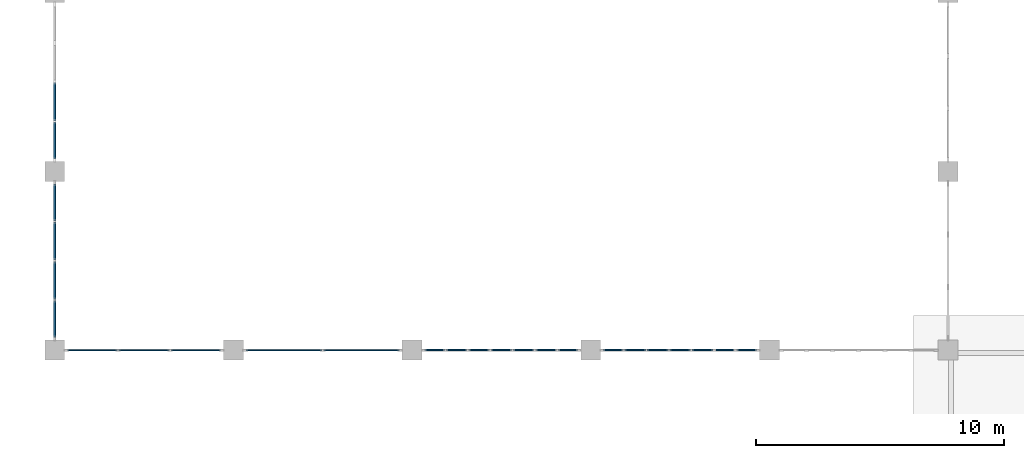
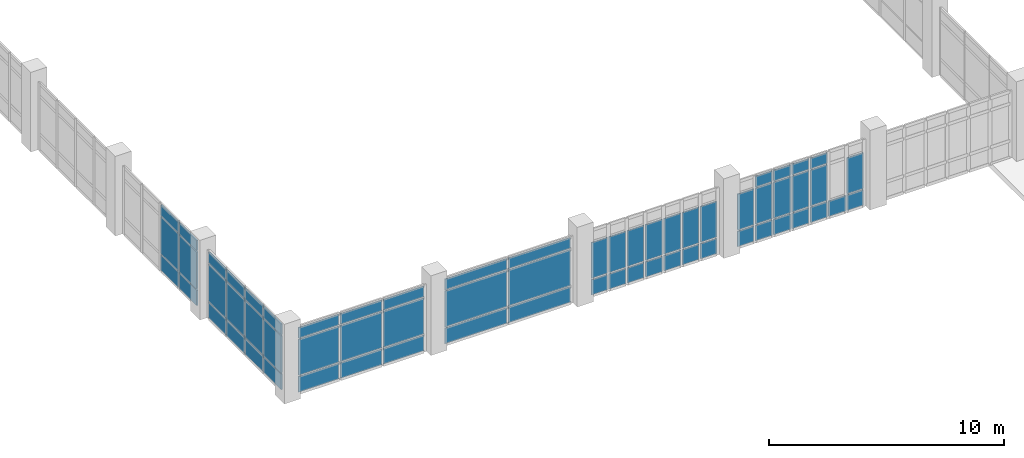
# One storey, part 31 of 62: 64 plates, 6 elements without a shape of their own.
"""IFC4 building model written with IfcOpenShell, lengths in metres."""

from ifc_helpers import new_model, si_unit, direction, frame, origin, origin_2d, place, context, subcontext, project, spatial, rectangle, extrude, material, layer, layer_set, type_object, element, aggregate, save


model = new_model("IFC4")

# Units and contexts
model_context = context("Model", 3, precision=1e-05, world=origin(), true_north=direction((0.0, 1.0)))
body_context = subcontext(model_context, "Body", "Model", "MODEL_VIEW")
ifc_project = project(units=[si_unit("LENGTHUNIT", "METRE"), si_unit("AREAUNIT", "SQUARE_METRE"), si_unit("VOLUMEUNIT", "CUBIC_METRE"), si_unit("PLANEANGLEUNIT", "RADIAN"), si_unit("MASSUNIT", "GRAM", prefix="KILO")], contexts=[model_context])

# Site, building, storey
site_placement = place(None, origin())
site = spatial("IfcSite", under=ifc_project, at=site_placement, CompositionType="ELEMENT")
building_placement = place(site_placement, origin())
building = spatial("IfcBuilding", under=site, at=building_placement, Name="Kavelor Marine Aquarium", CompositionType="ELEMENT")
storey_placement = place(building_placement, frame((0.0, 0.0, 13.5)))
storey = spatial("IfcBuildingStorey", under=building, at=storey_placement, Name="L03", CompositionType="ELEMENT", Elevation=13.5)

# Curtain wall, plates
ifc_material_1 = material(Name="Thermally Broken Aluminium and Low-E Glass", Category="aluminium")
ifc_layer_1 = layer(ifc_material_1, 0.31591796875)
ifc_layer_set_1 = layer_set([ifc_layer_1], Name="CW-SYS22")
curtain_wall_type_1 = type_object("IfcCurtainWallType", Name="CW-SYS22", PredefinedType="USERDEFINED", material=ifc_layer_set_1)
curtain_wall_1_placement = place(storey_placement, origin())
curtain_wall_1 = element("IfcCurtainWall", 1, at=curtain_wall_1_placement, inside=storey, type_object=curtain_wall_type_1, Name="cw:x:L03:00_03", ObjectType="Curtain Wall", PredefinedType="USERDEFINED")
ifc_material_2 = material(Name="Solar-Control Double Low-E Glazing", Category="glass")
ifc_layer_2 = layer(ifc_material_2, 0.0439453125)
ifc_layer_set_2 = layer_set([ifc_layer_2], Name="CWP-10")
plate_type_1 = type_object("IfcPlateType", Name="CWP-10", PredefinedType="CURTAIN_PANEL", material=ifc_layer_set_2)
plate_1_placement = place(storey_placement, frame((8.884521484375, 24.39990234375, 0.06005859375), z_axis=(0.0, 0.0, 1.0), x_axis=(-1.0, 0.0, 0.0)))
plate_1 = element("IfcPlate", 2, at=plate_1_placement, type_object=plate_type_1, Name="CW22 panel 1.1", PredefinedType="CURTAIN_PANEL", context=body_context, shape_type="SweptSolid", body=[
    extrude(rectangle(XDim=1.99072265625, YDim=0.0439453125, at=origin_2d()), origin(), (0.0, 0.0, 1.0), 0.81005859375),
])
plate_2_placement = place(storey_placement, frame((8.884521484375, 24.39990234375, 0.929931640625), z_axis=(0.0, 0.0, 1.0), x_axis=(-1.0, 0.0, 0.0)))
plate_2 = element("IfcPlate", 3, at=plate_2_placement, type_object=plate_type_1, Name="CW22 panel 1.2", PredefinedType="CURTAIN_PANEL", context=body_context, shape_type="SweptSolid", body=[
    extrude(rectangle(XDim=1.99072265625, YDim=0.0439453125, at=origin_2d()), origin(), (0.0, 0.0, 1.0), 1.8701171875),
])
plate_3_placement = place(storey_placement, frame((8.884521484375, 24.39990234375, 2.85986328125), z_axis=(0.0, 0.0, 1.0), x_axis=(-1.0, 0.0, 0.0)))
plate_3 = element("IfcPlate", 4, at=plate_3_placement, type_object=plate_type_1, Name="CW22 panel 1.3", PredefinedType="CURTAIN_PANEL", context=body_context, shape_type="SweptSolid", body=[
    extrude(rectangle(XDim=1.99072265625, YDim=0.0439453125, at=origin_2d()), origin(), (0.0, 0.0, 1.0), 0.56005859375),
])
plate_4_placement = place(storey_placement, frame((6.800048828125, 24.39990234375, 0.06005859375), z_axis=(0.0, 0.0, 1.0), x_axis=(-1.0, 0.0, 0.0)))
plate_4 = element("IfcPlate", 5, at=plate_4_placement, type_object=plate_type_1, Name="CW22 panel 2.1", PredefinedType="CURTAIN_PANEL", context=body_context, shape_type="SweptSolid", body=[
    extrude(rectangle(XDim=2.0283203125, YDim=0.0439453125, at=origin_2d()), origin(), (0.0, 0.0, 1.0), 0.81005859375),
])
plate_5_placement = place(storey_placement, frame((6.800048828125, 24.39990234375, 0.929931640625), z_axis=(0.0, 0.0, 1.0), x_axis=(-1.0, 0.0, 0.0)))
plate_5 = element("IfcPlate", 6, at=plate_5_placement, type_object=plate_type_1, Name="CW22 panel 2.2", PredefinedType="CURTAIN_PANEL", context=body_context, shape_type="SweptSolid", body=[
    extrude(rectangle(XDim=2.0283203125, YDim=0.0439453125, at=origin_2d()), origin(), (0.0, 0.0, 1.0), 1.8701171875),
])
plate_6_placement = place(storey_placement, frame((6.800048828125, 24.39990234375, 2.85986328125), z_axis=(0.0, 0.0, 1.0), x_axis=(-1.0, 0.0, 0.0)))
plate_6 = element("IfcPlate", 7, at=plate_6_placement, type_object=plate_type_1, Name="CW22 panel 2.3", PredefinedType="CURTAIN_PANEL", context=body_context, shape_type="SweptSolid", body=[
    extrude(rectangle(XDim=2.0283203125, YDim=0.0439453125, at=origin_2d()), origin(), (0.0, 0.0, 1.0), 0.56005859375),
])
plate_7_placement = place(storey_placement, frame((4.71533203125, 24.39990234375, 0.06005859375), z_axis=(0.0, 0.0, 1.0), x_axis=(-1.0, 0.0, 0.0)))
plate_7 = element("IfcPlate", 8, at=plate_7_placement, type_object=plate_type_1, Name="CW22 panel 3.1", PredefinedType="CURTAIN_PANEL", context=body_context, shape_type="SweptSolid", body=[
    extrude(rectangle(XDim=1.99072265625, YDim=0.0439453125, at=origin_2d()), origin(), (0.0, 0.0, 1.0), 0.81005859375),
])
plate_8_placement = place(storey_placement, frame((4.71533203125, 24.39990234375, 0.929931640625), z_axis=(0.0, 0.0, 1.0), x_axis=(-1.0, 0.0, 0.0)))
plate_8 = element("IfcPlate", 9, at=plate_8_placement, type_object=plate_type_1, Name="CW22 panel 3.2", PredefinedType="CURTAIN_PANEL", context=body_context, shape_type="SweptSolid", body=[
    extrude(rectangle(XDim=1.99072265625, YDim=0.0439453125, at=origin_2d()), origin(), (0.0, 0.0, 1.0), 1.8701171875),
])
plate_9_placement = place(storey_placement, frame((4.71533203125, 24.39990234375, 2.85986328125), z_axis=(0.0, 0.0, 1.0), x_axis=(-1.0, 0.0, 0.0)))
plate_9 = element("IfcPlate", 10, at=plate_9_placement, type_object=plate_type_1, Name="CW22 panel 3.3", PredefinedType="CURTAIN_PANEL", context=body_context, shape_type="SweptSolid", body=[
    extrude(rectangle(XDim=1.99072265625, YDim=0.0439453125, at=origin_2d()), origin(), (0.0, 0.0, 1.0), 0.56005859375),
])
aggregate(curtain_wall_1, [plate_1, plate_2, plate_3, plate_4, plate_5, plate_6, plate_7, plate_8, plate_9])

ifc_material_3 = material(Name="Thermally Broken Aluminium and Low-E Glass", Category="aluminium")
ifc_layer_3 = layer(ifc_material_3, 0.323974609375)
ifc_layer_set_3 = layer_set([ifc_layer_3], Name="CW-SYS23")
curtain_wall_type_2 = type_object("IfcCurtainWallType", Name="CW-SYS23", PredefinedType="USERDEFINED", material=ifc_layer_set_3)
curtain_wall_2_placement = place(storey_placement, origin())
curtain_wall_2 = element("IfcCurtainWall", 11, at=curtain_wall_2_placement, inside=storey, type_object=curtain_wall_type_2, Name="cw:x:L03:01_03", ObjectType="Curtain Wall", PredefinedType="USERDEFINED")
ifc_material_4 = material(Name="Solar-Control Double Low-E Glazing", Category="glass")
ifc_layer_4 = layer(ifc_material_4, 0.0458984375)
ifc_layer_set_4 = layer_set([ifc_layer_4], Name="CWP-11")
plate_type_2 = type_object("IfcPlateType", Name="CWP-11", PredefinedType="CURTAIN_PANEL", material=ifc_layer_set_4)
plate_10_placement = place(storey_placement, frame((15.561279296875, 24.39990234375, 0.06005859375), z_axis=(0.0, 0.0, 1.0), x_axis=(-1.0, 0.0, 0.0)))
plate_10 = element("IfcPlate", 12, at=plate_10_placement, type_object=plate_type_2, Name="CW23 panel 1.1", PredefinedType="CURTAIN_PANEL", context=body_context, shape_type="SweptSolid", body=[
    extrude(rectangle(XDim=3.0576171875, YDim=0.0458984375, at=origin_2d()), origin(), (0.0, 0.0, 1.0), 0.81005859375),
])
plate_11_placement = place(storey_placement, frame((15.561279296875, 24.39990234375, 0.929931640625), z_axis=(0.0, 0.0, 1.0), x_axis=(-1.0, 0.0, 0.0)))
plate_11 = element("IfcPlate", 13, at=plate_11_placement, type_object=plate_type_2, Name="CW23 panel 1.2", PredefinedType="CURTAIN_PANEL", context=body_context, shape_type="SweptSolid", body=[
    extrude(rectangle(XDim=3.0576171875, YDim=0.0458984375, at=origin_2d()), origin(), (0.0, 0.0, 1.0), 1.8701171875),
])
plate_12_placement = place(storey_placement, frame((15.561279296875, 24.39990234375, 2.85986328125), z_axis=(0.0, 0.0, 1.0), x_axis=(-1.0, 0.0, 0.0)))
plate_12 = element("IfcPlate", 14, at=plate_12_placement, type_object=plate_type_2, Name="CW23 panel 1.3", PredefinedType="CURTAIN_PANEL", context=body_context, shape_type="SweptSolid", body=[
    extrude(rectangle(XDim=3.0576171875, YDim=0.0458984375, at=origin_2d()), origin(), (0.0, 0.0, 1.0), 0.56005859375),
])
plate_13_placement = place(storey_placement, frame((12.438720703125, 24.39990234375, 0.06005859375), z_axis=(0.0, 0.0, 1.0), x_axis=(-1.0, 0.0, 0.0)))
plate_13 = element("IfcPlate", 15, at=plate_13_placement, type_object=plate_type_2, Name="CW23 panel 2.1", PredefinedType="CURTAIN_PANEL", context=body_context, shape_type="SweptSolid", body=[
    extrude(rectangle(XDim=3.0576171875, YDim=0.0458984375, at=origin_2d()), origin(), (0.0, 0.0, 1.0), 0.81005859375),
])
plate_14_placement = place(storey_placement, frame((12.438720703125, 24.39990234375, 0.929931640625), z_axis=(0.0, 0.0, 1.0), x_axis=(-1.0, 0.0, 0.0)))
plate_14 = element("IfcPlate", 16, at=plate_14_placement, type_object=plate_type_2, Name="CW23 panel 2.2", PredefinedType="CURTAIN_PANEL", context=body_context, shape_type="SweptSolid", body=[
    extrude(rectangle(XDim=3.0576171875, YDim=0.0458984375, at=origin_2d()), origin(), (0.0, 0.0, 1.0), 1.8701171875),
])
plate_15_placement = place(storey_placement, frame((12.438720703125, 24.39990234375, 2.85986328125), z_axis=(0.0, 0.0, 1.0), x_axis=(-1.0, 0.0, 0.0)))
plate_15 = element("IfcPlate", 17, at=plate_15_placement, type_object=plate_type_2, Name="CW23 panel 2.3", PredefinedType="CURTAIN_PANEL", context=body_context, shape_type="SweptSolid", body=[
    extrude(rectangle(XDim=3.0576171875, YDim=0.0458984375, at=origin_2d()), origin(), (0.0, 0.0, 1.0), 0.56005859375),
])
aggregate(curtain_wall_2, [plate_10, plate_11, plate_12, plate_13, plate_14, plate_15])

ifc_material_5 = material(Name="Thermally Broken Aluminium and Low-E Glass", Category="aluminium")
ifc_layer_5 = layer(ifc_material_5, 0.14794921875)
ifc_layer_set_5 = layer_set([ifc_layer_5], Name="CW-SYS1")
curtain_wall_type_3 = type_object("IfcCurtainWallType", Name="CW-SYS1", PredefinedType="USERDEFINED", material=ifc_layer_set_5)
curtain_wall_3_placement = place(storey_placement, origin())
curtain_wall_3 = element("IfcCurtainWall", 18, at=curtain_wall_3_placement, inside=storey, type_object=curtain_wall_type_3, Name="cw:x:L03:02_03", ObjectType="Curtain Wall", PredefinedType="USERDEFINED")
ifc_material_6 = material(Name="Solar-Control Double Low-E Glazing", Category="glass")
ifc_layer_6 = layer(ifc_material_6, 0.050048828125)
ifc_layer_set_6 = layer_set([ifc_layer_6], Name="CWP-13")
plate_type_3 = type_object("IfcPlateType", Name="CWP-13", PredefinedType="CURTAIN_PANEL", material=ifc_layer_set_6)
plate_16_placement = place(storey_placement, frame((23.885498046875, 24.39990234375, 0.074951171875), z_axis=(0.0, 0.0, 1.0), x_axis=(-1.0, 0.0, 0.0)))
plate_16 = element("IfcPlate", 19, at=plate_16_placement, type_object=plate_type_3, Name="CW01 panel 1.1", PredefinedType="CURTAIN_PANEL", context=body_context, shape_type="SweptSolid", body=[
    extrude(rectangle(XDim=0.788818359375, YDim=0.050048828125, at=origin_2d()), origin(), (0.0, 0.0, 1.0), 0.78759765625),
])
plate_17_placement = place(storey_placement, frame((23.885498046875, 24.39990234375, 0.9375), z_axis=(0.0, 0.0, 1.0), x_axis=(-1.0, 0.0, 0.0)))
plate_17 = element("IfcPlate", 20, at=plate_17_placement, type_object=plate_type_3, Name="CW01 panel 1.2", PredefinedType="CURTAIN_PANEL", context=body_context, shape_type="SweptSolid", body=[
    extrude(rectangle(XDim=0.788818359375, YDim=0.050048828125, at=origin_2d()), origin(), (0.0, 0.0, 1.0), 1.85498046875),
])
plate_18_placement = place(storey_placement, frame((23.0029296875, 24.39990234375, 0.074951171875), z_axis=(0.0, 0.0, 1.0), x_axis=(-1.0, 0.0, 0.0)))
plate_18 = element("IfcPlate", 21, at=plate_18_placement, type_object=plate_type_3, Name="CW01 panel 2.1", PredefinedType="CURTAIN_PANEL", context=body_context, shape_type="SweptSolid", body=[
    extrude(rectangle(XDim=0.826416015625, YDim=0.050048828125, at=origin_2d()), origin(), (0.0, 0.0, 1.0), 0.78759765625),
])
plate_19_placement = place(storey_placement, frame((23.0029296875, 24.39990234375, 0.9375), z_axis=(0.0, 0.0, 1.0), x_axis=(-1.0, 0.0, 0.0)))
plate_19 = element("IfcPlate", 22, at=plate_19_placement, type_object=plate_type_3, Name="CW01 panel 2.2", PredefinedType="CURTAIN_PANEL", context=body_context, shape_type="SweptSolid", body=[
    extrude(rectangle(XDim=0.826416015625, YDim=0.050048828125, at=origin_2d()), origin(), (0.0, 0.0, 1.0), 1.85498046875),
])
plate_20_placement = place(storey_placement, frame((22.101318359375, 24.39990234375, 0.074951171875), z_axis=(0.0, 0.0, 1.0), x_axis=(-1.0, 0.0, 0.0)))
plate_20 = element("IfcPlate", 23, at=plate_20_placement, type_object=plate_type_3, Name="CW01 panel 3.1", PredefinedType="CURTAIN_PANEL", context=body_context, shape_type="SweptSolid", body=[
    extrude(rectangle(XDim=0.826416015625, YDim=0.050048828125, at=origin_2d()), origin(), (0.0, 0.0, 1.0), 0.78759765625),
])
plate_21_placement = place(storey_placement, frame((22.101318359375, 24.39990234375, 0.9375), z_axis=(0.0, 0.0, 1.0), x_axis=(-1.0, 0.0, 0.0)))
plate_21 = element("IfcPlate", 24, at=plate_21_placement, type_object=plate_type_3, Name="CW01 panel 3.2", PredefinedType="CURTAIN_PANEL", context=body_context, shape_type="SweptSolid", body=[
    extrude(rectangle(XDim=0.826416015625, YDim=0.050048828125, at=origin_2d()), origin(), (0.0, 0.0, 1.0), 1.85498046875),
])
plate_22_placement = place(storey_placement, frame((21.199951171875, 24.39990234375, 0.074951171875), z_axis=(0.0, 0.0, 1.0), x_axis=(-1.0, 0.0, 0.0)))
plate_22 = element("IfcPlate", 25, at=plate_22_placement, type_object=plate_type_3, Name="CW01 panel 4.1", PredefinedType="CURTAIN_PANEL", context=body_context, shape_type="SweptSolid", body=[
    extrude(rectangle(XDim=0.826416015625, YDim=0.050048828125, at=origin_2d()), origin(), (0.0, 0.0, 1.0), 0.78759765625),
])
plate_23_placement = place(storey_placement, frame((21.199951171875, 24.39990234375, 0.9375), z_axis=(0.0, 0.0, 1.0), x_axis=(-1.0, 0.0, 0.0)))
plate_23 = element("IfcPlate", 26, at=plate_23_placement, type_object=plate_type_3, Name="CW01 panel 4.2", PredefinedType="CURTAIN_PANEL", context=body_context, shape_type="SweptSolid", body=[
    extrude(rectangle(XDim=0.826416015625, YDim=0.050048828125, at=origin_2d()), origin(), (0.0, 0.0, 1.0), 1.85498046875),
])
plate_24_placement = place(storey_placement, frame((20.298583984375, 24.39990234375, 0.074951171875), z_axis=(0.0, 0.0, 1.0), x_axis=(-1.0, 0.0, 0.0)))
plate_24 = element("IfcPlate", 27, at=plate_24_placement, type_object=plate_type_3, Name="CW01 panel 5.1", PredefinedType="CURTAIN_PANEL", context=body_context, shape_type="SweptSolid", body=[
    extrude(rectangle(XDim=0.826416015625, YDim=0.050048828125, at=origin_2d()), origin(), (0.0, 0.0, 1.0), 0.78759765625),
])
plate_25_placement = place(storey_placement, frame((20.298583984375, 24.39990234375, 0.9375), z_axis=(0.0, 0.0, 1.0), x_axis=(-1.0, 0.0, 0.0)))
plate_25 = element("IfcPlate", 28, at=plate_25_placement, type_object=plate_type_3, Name="CW01 panel 5.2", PredefinedType="CURTAIN_PANEL", context=body_context, shape_type="SweptSolid", body=[
    extrude(rectangle(XDim=0.826416015625, YDim=0.050048828125, at=origin_2d()), origin(), (0.0, 0.0, 1.0), 1.85498046875),
])
plate_26_placement = place(storey_placement, frame((19.397216796875, 24.39990234375, 0.074951171875), z_axis=(0.0, 0.0, 1.0), x_axis=(-1.0, 0.0, 0.0)))
plate_26 = element("IfcPlate", 29, at=plate_26_placement, type_object=plate_type_3, Name="CW01 panel 6.1", PredefinedType="CURTAIN_PANEL", context=body_context, shape_type="SweptSolid", body=[
    extrude(rectangle(XDim=0.826416015625, YDim=0.050048828125, at=origin_2d()), origin(), (0.0, 0.0, 1.0), 0.78759765625),
])
plate_27_placement = place(storey_placement, frame((19.397216796875, 24.39990234375, 0.9375), z_axis=(0.0, 0.0, 1.0), x_axis=(-1.0, 0.0, 0.0)))
plate_27 = element("IfcPlate", 30, at=plate_27_placement, type_object=plate_type_3, Name="CW01 panel 6.2", PredefinedType="CURTAIN_PANEL", context=body_context, shape_type="SweptSolid", body=[
    extrude(rectangle(XDim=0.826416015625, YDim=0.050048828125, at=origin_2d()), origin(), (0.0, 0.0, 1.0), 1.85498046875),
])
plate_28_placement = place(storey_placement, frame((18.514404296875, 24.39990234375, 0.074951171875), z_axis=(0.0, 0.0, 1.0), x_axis=(-1.0, 0.0, 0.0)))
plate_28 = element("IfcPlate", 31, at=plate_28_placement, type_object=plate_type_3, Name="CW01 panel 7.1", PredefinedType="CURTAIN_PANEL", context=body_context, shape_type="SweptSolid", body=[
    extrude(rectangle(XDim=0.788818359375, YDim=0.050048828125, at=origin_2d()), origin(), (0.0, 0.0, 1.0), 0.78759765625),
])
plate_29_placement = place(storey_placement, frame((18.514404296875, 24.39990234375, 0.9375), z_axis=(0.0, 0.0, 1.0), x_axis=(-1.0, 0.0, 0.0)))
plate_29 = element("IfcPlate", 32, at=plate_29_placement, type_object=plate_type_3, Name="CW01 panel 7.2", PredefinedType="CURTAIN_PANEL", context=body_context, shape_type="SweptSolid", body=[
    extrude(rectangle(XDim=0.788818359375, YDim=0.050048828125, at=origin_2d()), origin(), (0.0, 0.0, 1.0), 1.85498046875),
])
aggregate(curtain_wall_3, [plate_16, plate_17, plate_18, plate_19, plate_20, plate_21, plate_22, plate_23, plate_24, plate_25, plate_26, plate_27, plate_28, plate_29])

ifc_material_7 = material(Name="Thermally Broken Aluminium and Low-E Glass", Category="aluminium")
ifc_layer_7 = layer(ifc_material_7, 0.156005859375)
ifc_layer_set_7 = layer_set([ifc_layer_7], Name="CW-SYS2")
curtain_wall_type_4 = type_object("IfcCurtainWallType", Name="CW-SYS2", PredefinedType="USERDEFINED", material=ifc_layer_set_7)
curtain_wall_4_placement = place(storey_placement, origin())
curtain_wall_4 = element("IfcCurtainWall", 33, at=curtain_wall_4_placement, inside=storey, type_object=curtain_wall_type_4, Name="cw:x:L03:03_03", ObjectType="Curtain Wall", PredefinedType="USERDEFINED")
ifc_material_8 = material(Name="Solar-Control Double Low-E Glazing", Category="glass")
ifc_layer_8 = layer(ifc_material_8, 0.052001953125)
ifc_layer_set_8 = layer_set([ifc_layer_8], Name="CWP-14")
plate_type_4 = type_object("IfcPlateType", Name="CWP-14", PredefinedType="CURTAIN_PANEL", material=ifc_layer_set_8)
plate_30_placement = place(storey_placement, frame((31.088134765625, 24.39990234375, 0.06494140625), z_axis=(0.0, 0.0, 1.0), x_axis=(-1.0, 0.0, 0.0)))
plate_30 = element("IfcPlate", 34, at=plate_30_placement, type_object=plate_type_4, Name="CW02 panel 1.1", PredefinedType="CURTAIN_PANEL", context=body_context, shape_type="SweptSolid", body=[
    extrude(rectangle(XDim=0.803955078125, YDim=0.052001953125, at=origin_2d()), origin(), (0.0, 0.0, 1.0), 0.802490234375),
])
plate_31_placement = place(storey_placement, frame((31.088134765625, 24.39990234375, 0.9326171875), z_axis=(0.0, 0.0, 1.0), x_axis=(-1.0, 0.0, 0.0)))
plate_31 = element("IfcPlate", 35, at=plate_31_placement, type_object=plate_type_4, Name="CW02 panel 1.2", PredefinedType="CURTAIN_PANEL", context=body_context, shape_type="SweptSolid", body=[
    extrude(rectangle(XDim=0.803955078125, YDim=0.052001953125, at=origin_2d()), origin(), (0.0, 0.0, 1.0), 1.864990234375),
])
plate_32_placement = place(storey_placement, frame((30.202880859375, 24.39990234375, 0.06494140625), z_axis=(0.0, 0.0, 1.0), x_axis=(-1.0, 0.0, 0.0)))
plate_32 = element("IfcPlate", 36, at=plate_32_placement, type_object=plate_type_4, Name="CW02 panel 2.1", PredefinedType="CURTAIN_PANEL", context=body_context, shape_type="SweptSolid", body=[
    extrude(rectangle(XDim=0.83642578125, YDim=0.052001953125, at=origin_2d()), origin(), (0.0, 0.0, 1.0), 0.802490234375),
])
plate_33_placement = place(storey_placement, frame((29.301513671875, 24.39990234375, 0.06494140625), z_axis=(0.0, 0.0, 1.0), x_axis=(-1.0, 0.0, 0.0)))
plate_33 = element("IfcPlate", 37, at=plate_33_placement, type_object=plate_type_4, Name="CW02 panel 3.1", PredefinedType="CURTAIN_PANEL", context=body_context, shape_type="SweptSolid", body=[
    extrude(rectangle(XDim=0.83642578125, YDim=0.052001953125, at=origin_2d()), origin(), (0.0, 0.0, 1.0), 0.802490234375),
])
plate_34_placement = place(storey_placement, frame((29.301513671875, 24.39990234375, 0.9326171875), z_axis=(0.0, 0.0, 1.0), x_axis=(-1.0, 0.0, 0.0)))
plate_34 = element("IfcPlate", 38, at=plate_34_placement, type_object=plate_type_4, Name="CW02 panel 3.2", PredefinedType="CURTAIN_PANEL", context=body_context, shape_type="SweptSolid", body=[
    extrude(rectangle(XDim=0.83642578125, YDim=0.052001953125, at=origin_2d()), origin(), (0.0, 0.0, 1.0), 1.864990234375),
])
plate_35_placement = place(storey_placement, frame((29.301513671875, 24.39990234375, 2.8623046875), z_axis=(0.0, 0.0, 1.0), x_axis=(-1.0, 0.0, 0.0)))
plate_35 = element("IfcPlate", 39, at=plate_35_placement, type_object=plate_type_4, Name="CW02 panel 3.3", PredefinedType="CURTAIN_PANEL", context=body_context, shape_type="SweptSolid", body=[
    extrude(rectangle(XDim=0.83642578125, YDim=0.052001953125, at=origin_2d()), origin(), (0.0, 0.0, 1.0), 0.552490234375),
])
plate_36_placement = place(storey_placement, frame((28.39990234375, 24.39990234375, 0.06494140625), z_axis=(0.0, 0.0, 1.0), x_axis=(-1.0, 0.0, 0.0)))
plate_36 = element("IfcPlate", 40, at=plate_36_placement, type_object=plate_type_4, Name="CW02 panel 4.1", PredefinedType="CURTAIN_PANEL", context=body_context, shape_type="SweptSolid", body=[
    extrude(rectangle(XDim=0.83642578125, YDim=0.052001953125, at=origin_2d()), origin(), (0.0, 0.0, 1.0), 0.802490234375),
])
plate_37_placement = place(storey_placement, frame((28.39990234375, 24.39990234375, 0.9326171875), z_axis=(0.0, 0.0, 1.0), x_axis=(-1.0, 0.0, 0.0)))
plate_37 = element("IfcPlate", 41, at=plate_37_placement, type_object=plate_type_4, Name="CW02 panel 4.2", PredefinedType="CURTAIN_PANEL", context=body_context, shape_type="SweptSolid", body=[
    extrude(rectangle(XDim=0.83642578125, YDim=0.052001953125, at=origin_2d()), origin(), (0.0, 0.0, 1.0), 1.864990234375),
])
plate_38_placement = place(storey_placement, frame((28.39990234375, 24.39990234375, 2.8623046875), z_axis=(0.0, 0.0, 1.0), x_axis=(-1.0, 0.0, 0.0)))
plate_38 = element("IfcPlate", 42, at=plate_38_placement, type_object=plate_type_4, Name="CW02 panel 4.3", PredefinedType="CURTAIN_PANEL", context=body_context, shape_type="SweptSolid", body=[
    extrude(rectangle(XDim=0.83642578125, YDim=0.052001953125, at=origin_2d()), origin(), (0.0, 0.0, 1.0), 0.552490234375),
])
plate_39_placement = place(storey_placement, frame((27.49853515625, 24.39990234375, 0.06494140625), z_axis=(0.0, 0.0, 1.0), x_axis=(-1.0, 0.0, 0.0)))
plate_39 = element("IfcPlate", 43, at=plate_39_placement, type_object=plate_type_4, Name="CW02 panel 5.1", PredefinedType="CURTAIN_PANEL", context=body_context, shape_type="SweptSolid", body=[
    extrude(rectangle(XDim=0.83642578125, YDim=0.052001953125, at=origin_2d()), origin(), (0.0, 0.0, 1.0), 0.802490234375),
])
plate_40_placement = place(storey_placement, frame((27.49853515625, 24.39990234375, 0.9326171875), z_axis=(0.0, 0.0, 1.0), x_axis=(-1.0, 0.0, 0.0)))
plate_40 = element("IfcPlate", 44, at=plate_40_placement, type_object=plate_type_4, Name="CW02 panel 5.2", PredefinedType="CURTAIN_PANEL", context=body_context, shape_type="SweptSolid", body=[
    extrude(rectangle(XDim=0.83642578125, YDim=0.052001953125, at=origin_2d()), origin(), (0.0, 0.0, 1.0), 1.864990234375),
])
plate_41_placement = place(storey_placement, frame((27.49853515625, 24.39990234375, 2.8623046875), z_axis=(0.0, 0.0, 1.0), x_axis=(-1.0, 0.0, 0.0)))
plate_41 = element("IfcPlate", 45, at=plate_41_placement, type_object=plate_type_4, Name="CW02 panel 5.3", PredefinedType="CURTAIN_PANEL", context=body_context, shape_type="SweptSolid", body=[
    extrude(rectangle(XDim=0.83642578125, YDim=0.052001953125, at=origin_2d()), origin(), (0.0, 0.0, 1.0), 0.552490234375),
])
plate_42_placement = place(storey_placement, frame((26.59716796875, 24.39990234375, 0.06494140625), z_axis=(0.0, 0.0, 1.0), x_axis=(-1.0, 0.0, 0.0)))
plate_42 = element("IfcPlate", 46, at=plate_42_placement, type_object=plate_type_4, Name="CW02 panel 6.1", PredefinedType="CURTAIN_PANEL", context=body_context, shape_type="SweptSolid", body=[
    extrude(rectangle(XDim=0.83642578125, YDim=0.052001953125, at=origin_2d()), origin(), (0.0, 0.0, 1.0), 0.802490234375),
])
plate_43_placement = place(storey_placement, frame((26.59716796875, 24.39990234375, 0.9326171875), z_axis=(0.0, 0.0, 1.0), x_axis=(-1.0, 0.0, 0.0)))
plate_43 = element("IfcPlate", 47, at=plate_43_placement, type_object=plate_type_4, Name="CW02 panel 6.2", PredefinedType="CURTAIN_PANEL", context=body_context, shape_type="SweptSolid", body=[
    extrude(rectangle(XDim=0.83642578125, YDim=0.052001953125, at=origin_2d()), origin(), (0.0, 0.0, 1.0), 1.864990234375),
])
plate_44_placement = place(storey_placement, frame((26.59716796875, 24.39990234375, 2.8623046875), z_axis=(0.0, 0.0, 1.0), x_axis=(-1.0, 0.0, 0.0)))
plate_44 = element("IfcPlate", 48, at=plate_44_placement, type_object=plate_type_4, Name="CW02 panel 6.3", PredefinedType="CURTAIN_PANEL", context=body_context, shape_type="SweptSolid", body=[
    extrude(rectangle(XDim=0.83642578125, YDim=0.052001953125, at=origin_2d()), origin(), (0.0, 0.0, 1.0), 0.552490234375),
])
plate_45_placement = place(storey_placement, frame((25.7119140625, 24.39990234375, 0.06494140625), z_axis=(0.0, 0.0, 1.0), x_axis=(-1.0, 0.0, 0.0)))
plate_45 = element("IfcPlate", 49, at=plate_45_placement, type_object=plate_type_4, Name="CW02 panel 7.1", PredefinedType="CURTAIN_PANEL", context=body_context, shape_type="SweptSolid", body=[
    extrude(rectangle(XDim=0.803955078125, YDim=0.052001953125, at=origin_2d()), origin(), (0.0, 0.0, 1.0), 0.802490234375),
])
plate_46_placement = place(storey_placement, frame((25.7119140625, 24.39990234375, 0.9326171875), z_axis=(0.0, 0.0, 1.0), x_axis=(-1.0, 0.0, 0.0)))
plate_46 = element("IfcPlate", 50, at=plate_46_placement, type_object=plate_type_4, Name="CW02 panel 7.2", PredefinedType="CURTAIN_PANEL", context=body_context, shape_type="SweptSolid", body=[
    extrude(rectangle(XDim=0.803955078125, YDim=0.052001953125, at=origin_2d()), origin(), (0.0, 0.0, 1.0), 1.864990234375),
])
aggregate(curtain_wall_4, [plate_30, plate_31, plate_32, plate_33, plate_34, plate_35, plate_36, plate_37, plate_38, plate_39, plate_40, plate_41, plate_42, plate_43, plate_44, plate_45, plate_46])

ifc_material_9 = material(Name="Thermally Broken Aluminium and Low-E Glass", Category="aluminium")
ifc_layer_9 = layer(ifc_material_9, 0.22802734375)
ifc_layer_set_9 = layer_set([ifc_layer_9], Name="CW-SYS11")
curtain_wall_type_5 = type_object("IfcCurtainWallType", Name="CW-SYS11", PredefinedType="USERDEFINED", material=ifc_layer_set_9)
curtain_wall_5_placement = place(storey_placement, origin())
curtain_wall_5 = element("IfcCurtainWall", 51, at=curtain_wall_5_placement, inside=storey, type_object=curtain_wall_type_5, Name="cw:y:L03:00_03", ObjectType="Curtain Wall", PredefinedType="USERDEFINED")
ifc_material_10 = material(Name="Solar-Control Double Low-E Glazing", Category="glass")
ifc_layer_10 = layer(ifc_material_10, 0.070068359375)
ifc_layer_set_10 = layer_set([ifc_layer_10], Name="CWP-23")
plate_type_5 = type_object("IfcPlateType", Name="CWP-23", PredefinedType="CURTAIN_PANEL", material=ifc_layer_set_10)
plate_47_placement = place(storey_placement, frame((3.199951171875, 30.35009765625, 0.06005859375), z_axis=(0.0, 0.0, 1.0), x_axis=(0.0, -1.0, 0.0)))
plate_47 = element("IfcPlate", 52, at=plate_47_placement, type_object=plate_type_5, Name="CW11 panel 1.1", PredefinedType="CURTAIN_PANEL", context=body_context, shape_type="SweptSolid", body=[
    extrude(rectangle(XDim=1.47998046875, YDim=0.070068359375, at=origin_2d()), origin(), (0.0, 0.0, 1.0), 0.81005859375),
])
plate_48_placement = place(storey_placement, frame((3.199951171875, 30.35009765625, 0.929931640625), z_axis=(0.0, 0.0, 1.0), x_axis=(0.0, -1.0, 0.0)))
plate_48 = element("IfcPlate", 53, at=plate_48_placement, type_object=plate_type_5, Name="CW11 panel 1.2", PredefinedType="CURTAIN_PANEL", context=body_context, shape_type="SweptSolid", body=[
    extrude(rectangle(XDim=1.47998046875, YDim=0.070068359375, at=origin_2d()), origin(), (0.0, 0.0, 1.0), 1.919921875),
])
plate_49_placement = place(storey_placement, frame((3.199951171875, 30.35009765625, 2.909912109375), z_axis=(0.0, 0.0, 1.0), x_axis=(0.0, -1.0, 0.0)))
plate_49 = element("IfcPlate", 54, at=plate_49_placement, type_object=plate_type_5, Name="CW11 panel 1.3", PredefinedType="CURTAIN_PANEL", context=body_context, shape_type="SweptSolid", body=[
    extrude(rectangle(XDim=1.47998046875, YDim=0.070068359375, at=origin_2d()), origin(), (0.0, 0.0, 1.0), 0.56005859375),
])
plate_50_placement = place(storey_placement, frame((3.199951171875, 28.788818359375, 0.06005859375), z_axis=(0.0, 0.0, 1.0), x_axis=(0.0, -1.0, 0.0)))
plate_50 = element("IfcPlate", 55, at=plate_50_placement, type_object=plate_type_5, Name="CW11 panel 2.1", PredefinedType="CURTAIN_PANEL", context=body_context, shape_type="SweptSolid", body=[
    extrude(rectangle(XDim=1.512451171875, YDim=0.070068359375, at=origin_2d()), origin(), (0.0, 0.0, 1.0), 0.81005859375),
])
plate_51_placement = place(storey_placement, frame((3.199951171875, 28.788818359375, 0.929931640625), z_axis=(0.0, 0.0, 1.0), x_axis=(0.0, -1.0, 0.0)))
plate_51 = element("IfcPlate", 56, at=plate_51_placement, type_object=plate_type_5, Name="CW11 panel 2.2", PredefinedType="CURTAIN_PANEL", context=body_context, shape_type="SweptSolid", body=[
    extrude(rectangle(XDim=1.512451171875, YDim=0.070068359375, at=origin_2d()), origin(), (0.0, 0.0, 1.0), 1.919921875),
])
plate_52_placement = place(storey_placement, frame((3.199951171875, 28.788818359375, 2.909912109375), z_axis=(0.0, 0.0, 1.0), x_axis=(0.0, -1.0, 0.0)))
plate_52 = element("IfcPlate", 57, at=plate_52_placement, type_object=plate_type_5, Name="CW11 panel 2.3", PredefinedType="CURTAIN_PANEL", context=body_context, shape_type="SweptSolid", body=[
    extrude(rectangle(XDim=1.512451171875, YDim=0.070068359375, at=origin_2d()), origin(), (0.0, 0.0, 1.0), 0.56005859375),
])
plate_53_placement = place(storey_placement, frame((3.199951171875, 27.211181640625, 0.06005859375), z_axis=(0.0, 0.0, 1.0), x_axis=(0.0, -1.0, 0.0)))
plate_53 = element("IfcPlate", 58, at=plate_53_placement, type_object=plate_type_5, Name="CW11 panel 3.1", PredefinedType="CURTAIN_PANEL", context=body_context, shape_type="SweptSolid", body=[
    extrude(rectangle(XDim=1.512451171875, YDim=0.070068359375, at=origin_2d()), origin(), (0.0, 0.0, 1.0), 0.81005859375),
])
plate_54_placement = place(storey_placement, frame((3.199951171875, 27.211181640625, 0.929931640625), z_axis=(0.0, 0.0, 1.0), x_axis=(0.0, -1.0, 0.0)))
plate_54 = element("IfcPlate", 59, at=plate_54_placement, type_object=plate_type_5, Name="CW11 panel 3.2", PredefinedType="CURTAIN_PANEL", context=body_context, shape_type="SweptSolid", body=[
    extrude(rectangle(XDim=1.512451171875, YDim=0.070068359375, at=origin_2d()), origin(), (0.0, 0.0, 1.0), 1.919921875),
])
plate_55_placement = place(storey_placement, frame((3.199951171875, 27.211181640625, 2.909912109375), z_axis=(0.0, 0.0, 1.0), x_axis=(0.0, -1.0, 0.0)))
plate_55 = element("IfcPlate", 60, at=plate_55_placement, type_object=plate_type_5, Name="CW11 panel 3.3", PredefinedType="CURTAIN_PANEL", context=body_context, shape_type="SweptSolid", body=[
    extrude(rectangle(XDim=1.512451171875, YDim=0.070068359375, at=origin_2d()), origin(), (0.0, 0.0, 1.0), 0.56005859375),
])
plate_56_placement = place(storey_placement, frame((3.199951171875, 25.64990234375, 0.06005859375), z_axis=(0.0, 0.0, 1.0), x_axis=(0.0, -1.0, 0.0)))
plate_56 = element("IfcPlate", 61, at=plate_56_placement, type_object=plate_type_5, Name="CW11 panel 4.1", PredefinedType="CURTAIN_PANEL", context=body_context, shape_type="SweptSolid", body=[
    extrude(rectangle(XDim=1.47998046875, YDim=0.070068359375, at=origin_2d()), origin(), (0.0, 0.0, 1.0), 0.81005859375),
])
plate_57_placement = place(storey_placement, frame((3.199951171875, 25.64990234375, 0.929931640625), z_axis=(0.0, 0.0, 1.0), x_axis=(0.0, -1.0, 0.0)))
plate_57 = element("IfcPlate", 62, at=plate_57_placement, type_object=plate_type_5, Name="CW11 panel 4.2", PredefinedType="CURTAIN_PANEL", context=body_context, shape_type="SweptSolid", body=[
    extrude(rectangle(XDim=1.47998046875, YDim=0.070068359375, at=origin_2d()), origin(), (0.0, 0.0, 1.0), 1.919921875),
])
plate_58_placement = place(storey_placement, frame((3.199951171875, 25.64990234375, 2.909912109375), z_axis=(0.0, 0.0, 1.0), x_axis=(0.0, -1.0, 0.0)))
plate_58 = element("IfcPlate", 63, at=plate_58_placement, type_object=plate_type_5, Name="CW11 panel 4.3", PredefinedType="CURTAIN_PANEL", context=body_context, shape_type="SweptSolid", body=[
    extrude(rectangle(XDim=1.47998046875, YDim=0.070068359375, at=origin_2d()), origin(), (0.0, 0.0, 1.0), 0.56005859375),
])
aggregate(curtain_wall_5, [plate_47, plate_48, plate_49, plate_50, plate_51, plate_52, plate_53, plate_54, plate_55, plate_56, plate_57, plate_58])

ifc_material_11 = material(Name="Thermally Broken Aluminium and Low-E Glass", Category="aluminium")
ifc_layer_11 = layer(ifc_material_11, 0.236083984375)
ifc_layer_set_11 = layer_set([ifc_layer_11], Name="CW-SYS12")
curtain_wall_type_6 = type_object("IfcCurtainWallType", Name="CW-SYS12", PredefinedType="USERDEFINED", material=ifc_layer_set_11)
curtain_wall_6_placement = place(storey_placement, origin())
curtain_wall_6 = element("IfcCurtainWall", 64, at=curtain_wall_6_placement, inside=storey, type_object=curtain_wall_type_6, Name="cw:y:L03:00_04", ObjectType="Curtain Wall", PredefinedType="USERDEFINED")
ifc_material_12 = material(Name="Solar-Control Double Low-E Glazing", Category="glass")
ifc_layer_12 = layer(ifc_material_12, 0.072021484375)
ifc_layer_set_12 = layer_set([ifc_layer_12], Name="CWP-24")
plate_type_6 = type_object("IfcPlateType", Name="CWP-24", PredefinedType="CURTAIN_PANEL", material=ifc_layer_set_12)
plate_59_placement = place(storey_placement, frame((3.199951171875, 34.4111328125, 0.074951171875), z_axis=(0.0, 0.0, 1.0), x_axis=(0.0, -1.0, 0.0)))
plate_59 = element("IfcPlate", 65, at=plate_59_placement, type_object=plate_type_6, Name="CW12 panel 3.1", PredefinedType="CURTAIN_PANEL", context=body_context, shape_type="SweptSolid", body=[
    extrude(rectangle(XDim=1.517578125, YDim=0.072021484375, at=origin_2d()), origin(), (0.0, 0.0, 1.0), 0.78759765625),
])
plate_60_placement = place(storey_placement, frame((3.199951171875, 34.4111328125, 0.9375), z_axis=(0.0, 0.0, 1.0), x_axis=(0.0, -1.0, 0.0)))
plate_60 = element("IfcPlate", 66, at=plate_60_placement, type_object=plate_type_6, Name="CW12 panel 3.2", PredefinedType="CURTAIN_PANEL", context=body_context, shape_type="SweptSolid", body=[
    extrude(rectangle(XDim=1.517578125, YDim=0.072021484375, at=origin_2d()), origin(), (0.0, 0.0, 1.0), 1.905029296875),
])
plate_61_placement = place(storey_placement, frame((3.199951171875, 34.4111328125, 2.91748046875), z_axis=(0.0, 0.0, 1.0), x_axis=(0.0, -1.0, 0.0)))
plate_61 = element("IfcPlate", 67, at=plate_61_placement, type_object=plate_type_6, Name="CW12 panel 3.3", PredefinedType="CURTAIN_PANEL", context=body_context, shape_type="SweptSolid", body=[
    extrude(rectangle(XDim=1.517578125, YDim=0.072021484375, at=origin_2d()), origin(), (0.0, 0.0, 1.0), 0.53759765625),
])
plate_62_placement = place(storey_placement, frame((3.199951171875, 32.8486328125, 0.074951171875), z_axis=(0.0, 0.0, 1.0), x_axis=(0.0, -1.0, 0.0)))
plate_62 = element("IfcPlate", 68, at=plate_62_placement, type_object=plate_type_6, Name="CW12 panel 4.1", PredefinedType="CURTAIN_PANEL", context=body_context, shape_type="SweptSolid", body=[
    extrude(rectangle(XDim=1.487548828125, YDim=0.072021484375, at=origin_2d()), origin(), (0.0, 0.0, 1.0), 0.78759765625),
])
plate_63_placement = place(storey_placement, frame((3.199951171875, 32.8486328125, 0.9375), z_axis=(0.0, 0.0, 1.0), x_axis=(0.0, -1.0, 0.0)))
plate_63 = element("IfcPlate", 69, at=plate_63_placement, type_object=plate_type_6, Name="CW12 panel 4.2", PredefinedType="CURTAIN_PANEL", context=body_context, shape_type="SweptSolid", body=[
    extrude(rectangle(XDim=1.487548828125, YDim=0.072021484375, at=origin_2d()), origin(), (0.0, 0.0, 1.0), 1.905029296875),
])
plate_64_placement = place(storey_placement, frame((3.199951171875, 32.8486328125, 2.91748046875), z_axis=(0.0, 0.0, 1.0), x_axis=(0.0, -1.0, 0.0)))
plate_64 = element("IfcPlate", 70, at=plate_64_placement, type_object=plate_type_6, Name="CW12 panel 4.3", PredefinedType="CURTAIN_PANEL", context=body_context, shape_type="SweptSolid", body=[
    extrude(rectangle(XDim=1.487548828125, YDim=0.072021484375, at=origin_2d()), origin(), (0.0, 0.0, 1.0), 0.53759765625),
])
aggregate(curtain_wall_6, [plate_59, plate_60, plate_61, plate_62, plate_63, plate_64])

save(model, "model.ifc")
